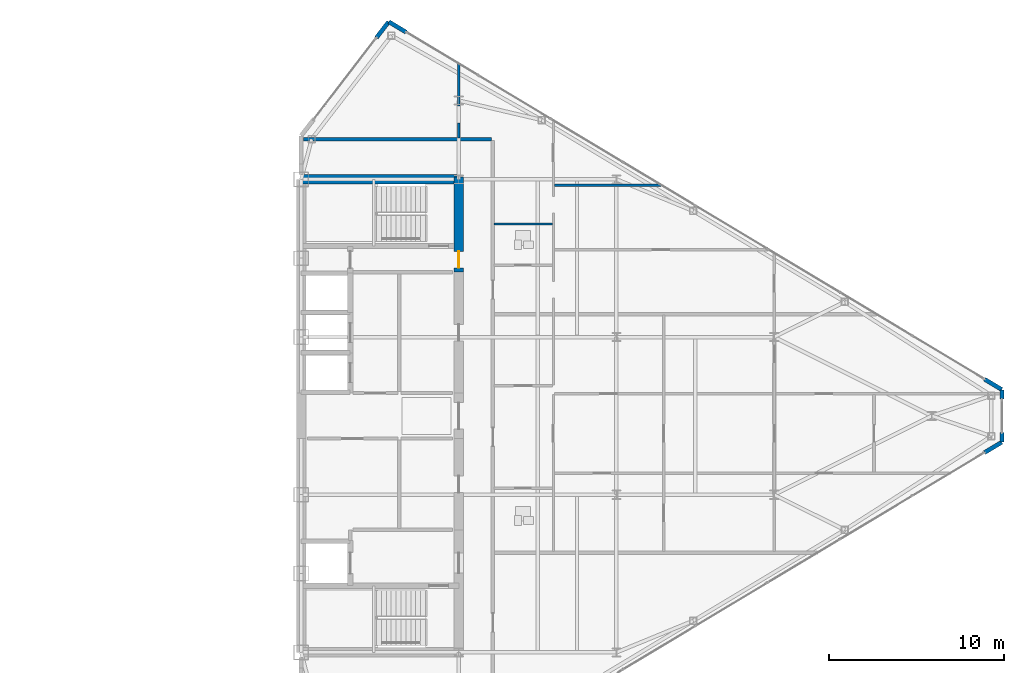
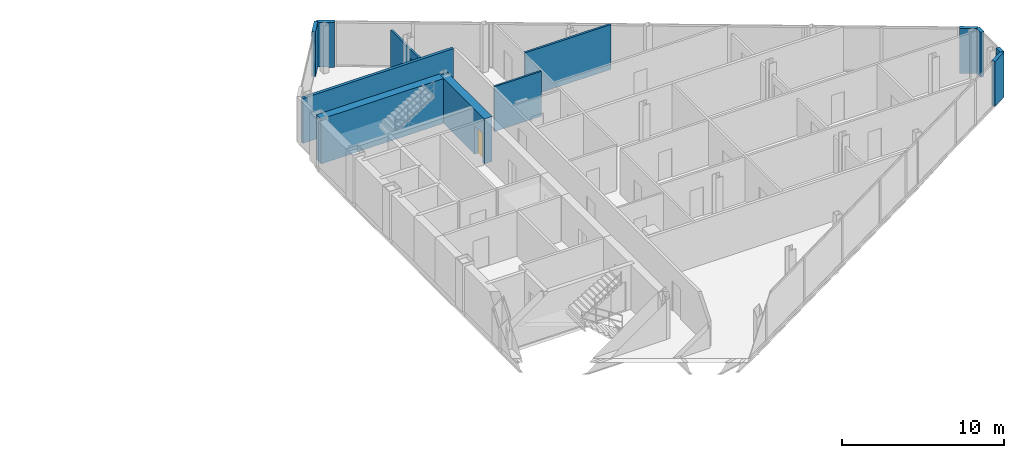
# One storey, part 23 of 26: 12 walls, 1 door, 2 openings.
"""IFC4 building model written with IfcOpenShell, lengths in metres."""

import ifcopenshell
import ifcopenshell.guid

model = None  # the IFC model being written
_history = None  # IfcOwnerHistory: only IFC2X3 demands one
_inside = {}  # id of a spatial element -> (the spatial element, [elements in it])
_under = {}  # id of a project, library or spatial element -> (it, [spatial elements below it])
_declared = {}  # id of a project -> (the project, [libraries it declares])
_typed = {}  # id of a type object -> (the type object, [elements of that type])
_made_of = {}  # id of a material, layer set ... -> (it, [elements and type objects made of it])


def new_model(schema):
    """Start an empty IFC model of exactly this schema.

    Asked for "IFC4X3", IfcOpenShell would pick the latest addendum, in which some entities
    have other attributes; the version numbers below select the first issue.
    IFC2X3 requires an IfcOwnerHistory on every rooted entity: one is made here for all.
    """
    global model, _history
    if schema == "IFC4X3":
        model = ifcopenshell.file(schema_version=(4, 3, 0, 0))
    else:
        model = ifcopenshell.file(schema=schema)
    _inside.clear()
    _under.clear()
    _declared.clear()
    _typed.clear()
    _made_of.clear()
    _history = None
    if model.schema == "IFC2X3":
        org = make("IfcOrganization", Name="unknown")
        user = make(
            "IfcPersonAndOrganization",
            ThePerson=make("IfcPerson", FamilyName="unknown"),
            TheOrganization=org,
        )
        app = make(
            "IfcApplication",
            ApplicationDeveloper=org,
            Version="unknown",
            ApplicationFullName="unknown",
            ApplicationIdentifier="unknown",
        )
        _history = make(
            "IfcOwnerHistory",
            OwningUser=user,
            OwningApplication=app,
            ChangeAction="ADDED",
            CreationDate=0,
        )
    return model


def make(cls, **values):
    """One entity of the class cls with the attributes given. An attribute that is None is left unset."""
    return model.create_entity(
        cls, **{name: value for name, value in values.items() if value is not None}
    )


def rooted(cls, **values):
    """An entity with a GlobalId (a new one), such as an element, a storey or a relation."""
    return make(cls, GlobalId=ifcopenshell.guid.new(), OwnerHistory=_history, **values)


def si_unit(unit_type, name, prefix=None):
    """IfcSIUnit, for example si_unit("LENGTHUNIT", "METRE", prefix="MILLI")."""
    return make("IfcSIUnit", UnitType=unit_type, Prefix=prefix, Name=name)


def assignment(units):
    """IfcUnitAssignment: the units of a project."""
    return None if units is None else make("IfcUnitAssignment", Units=units)


def point(xyz):
    """IfcCartesianPoint."""
    return None if xyz is None else make("IfcCartesianPoint", Coordinates=xyz)


def direction(xyz):
    """IfcDirection."""
    return None if xyz is None else make("IfcDirection", DirectionRatios=xyz)


def frame(location, z_axis=None, x_axis=None):
    """IfcAxis2Placement3D, a coordinate frame: its origin and axes. An axis left out is left unset."""
    return make(
        "IfcAxis2Placement3D",
        Location=point(location),
        Axis=direction(z_axis),
        RefDirection=direction(x_axis),
    )


def frame_2d(location, x_axis=None):
    """IfcAxis2Placement2D, a coordinate frame in the plane: its origin and x axis."""
    return make(
        "IfcAxis2Placement2D", Location=point(location), RefDirection=direction(x_axis)
    )


def origin():
    """The frame at (0, 0, 0) with its axes left unset."""
    return frame((0.0, 0.0, 0.0))


def place(relative_to, where):
    """IfcLocalPlacement: puts the frame where relative to a parent placement (None: the world)."""
    return make(
        "IfcLocalPlacement", PlacementRelTo=relative_to, RelativePlacement=where
    )


def context(
    kind, dimensions, precision=None, world=None, true_north=None, identifier=None
):
    """IfcGeometricRepresentationContext, for example the 3D "Model" context."""
    return make(
        "IfcGeometricRepresentationContext",
        ContextIdentifier=identifier,
        ContextType=kind,
        CoordinateSpaceDimension=dimensions,
        Precision=precision,
        WorldCoordinateSystem=world,
        TrueNorth=true_north,
    )


def subcontext(parent, identifier, kind, view, scale=None):
    """IfcGeometricRepresentationSubContext, for example "Body" below "Model"."""
    return make(
        "IfcGeometricRepresentationSubContext",
        ContextIdentifier=identifier,
        ContextType=kind,
        ParentContext=parent,
        TargetScale=scale,
        TargetView=view,
    )


def project(units=None, contexts=None):
    """IfcProject with its units and contexts."""
    return rooted(
        "IfcProject",
        Name="project",
        RepresentationContexts=contexts,
        UnitsInContext=assignment(units),
    )


def spatial(cls, under=None, at=None, **own):
    """A site, building, storey or space (cls), placed at a placement, below another one or the project."""
    s = rooted(cls, ObjectPlacement=at, **own)
    if under is not None:
        _under.setdefault(under.id(), (under, []))[1].append(s)
    return s


def profile(cls, at=None, kind="AREA", **sizes):
    """A parametric profile (cls). Its sizes go by their IFC names, for example OverallWidth=200.0."""
    return make(cls, ProfileType=kind, Position=at, **sizes)


def rectangle(**sizes):
    """IfcRectangleProfileDef."""
    return profile("IfcRectangleProfileDef", **sizes)


def extrude(swept, where, along, depth):
    """IfcExtrudedAreaSolid: the profile swept, set in the frame where, extruded along a direction by depth."""
    return make(
        "IfcExtrudedAreaSolid",
        SweptArea=swept,
        Position=where,
        ExtrudedDirection=direction(along),
        Depth=depth,
    )


def shape(context_of_items, identifier, shape_type, items):
    """IfcShapeRepresentation: the items that make up one representation, for example the "Body"."""
    return make(
        "IfcShapeRepresentation",
        ContextOfItems=context_of_items,
        RepresentationIdentifier=identifier,
        RepresentationType=shape_type,
        Items=items,
    )


def source(mapping_origin, context_of_items, identifier, shape_type, items):
    """IfcRepresentationMap: a shape defined once, which mapped items show again and again."""
    return make(
        "IfcRepresentationMap",
        MappingOrigin=mapping_origin,
        MappedRepresentation=shape(context_of_items, identifier, shape_type, items),
    )


def transform(
    local_origin,
    x_axis=None,
    y_axis=None,
    z_axis=None,
    scale=None,
    scale2=None,
    scale3=None,
    uniform=True,
):
    """IfcCartesianTransformationOperator3D, or its non-uniform kind. x_axis, y_axis, z_axis: its Axis1, 2, 3."""
    if uniform:
        return make(
            "IfcCartesianTransformationOperator3D",
            Axis1=direction(x_axis),
            Axis2=direction(y_axis),
            LocalOrigin=point(local_origin),
            Scale=scale,
            Axis3=direction(z_axis),
        )
    return make(
        "IfcCartesianTransformationOperator3DnonUniform",
        Axis1=direction(x_axis),
        Axis2=direction(y_axis),
        LocalOrigin=point(local_origin),
        Scale=scale,
        Axis3=direction(z_axis),
        Scale2=scale2,
        Scale3=scale3,
    )


def mapped(mapping_source, mapping_target):
    """IfcMappedItem: shows the shape of a source again, moved by a transform."""
    return make(
        "IfcMappedItem", MappingSource=mapping_source, MappingTarget=mapping_target
    )


def material(Name=None, Category=None):
    """IfcMaterial."""
    return make("IfcMaterial", Name=Name, Category=Category)


def layer(
    of_material, thickness, ventilated=None, Name=None, Category=None, Priority=None
):
    """IfcMaterialLayer: one layer of a wall or slab, of a material (None: an air gap)."""
    return make(
        "IfcMaterialLayer",
        Material=of_material,
        LayerThickness=thickness,
        IsVentilated=ventilated,
        Name=Name,
        Category=Category,
        Priority=Priority,
    )


def layer_set(layers, Name=None):
    """IfcMaterialLayerSet."""
    return make("IfcMaterialLayerSet", MaterialLayers=layers, LayerSetName=Name)


def made_of(thing, what):
    """Note that an element or type object is made of a material, layer set ...; save() writes the relation."""
    if what is not None:
        _made_of.setdefault(what.id(), (what, []))[1].append(thing)
    return thing


def type_object(cls, material=None, **own):
    """A type object (cls), such as IfcWallType, which elements share."""
    return made_of(rooted(cls, **own), material)


def type_shapes(of_type, sources):
    """Give a type object the sources (RepresentationMaps) that its elements show as mapped items."""
    of_type.RepresentationMaps = sources


def element(
    cls,
    number,
    at=None,
    inside=None,
    cuts=None,
    type_object=None,
    material=None,
    context=None,
    identifier="Body",
    shape_type=None,
    held_by="IfcProductDefinitionShape",
    body=None,
    shapes=None,
    **own,
):
    """One element of the class cls, such as IfcWall. Its Tag is "e" and its number.

    at: its placement. inside: the storey or other place that contains it. cuts: it is an
    opening in that element (IfcRelVoidsElement). A single representation is given by context,
    identifier, shape_type and body (its items); several are given by shapes. held_by: the class
    of the entity that holds the representations. save() writes the other relations.
    """
    e = rooted(cls, Tag="e%d" % number, ObjectPlacement=at, **own)
    if body is not None:
        shapes = [shape(context, identifier, shape_type, body)]
    if shapes is not None:
        e.Representation = make(held_by, Representations=shapes)
    if inside is not None:
        _inside.setdefault(inside.id(), (inside, []))[1].append(e)
    if cuts is not None:
        rooted(
            "IfcRelVoidsElement", RelatingBuildingElement=cuts, RelatedOpeningElement=e
        )
    if type_object is not None:
        _typed.setdefault(type_object.id(), (type_object, []))[1].append(e)
    return made_of(e, material)


def fill(opening, filler):
    """IfcRelFillsElement: the door or window that sits in an opening."""
    return rooted(
        "IfcRelFillsElement",
        RelatingOpeningElement=opening,
        RelatedBuildingElement=filler,
    )


def aggregate(whole, parts):
    """IfcRelAggregates: a whole, such as a stair, and the parts it consists of."""
    return rooted("IfcRelAggregates", RelatingObject=whole, RelatedObjects=parts)


def save(model, path):
    """Write the relations noted so far, then the file.

    IfcRelAggregates (storeys below a building ...), IfcRelContainedInSpatialStructure (elements
    in a storey), IfcRelDefinesByType, IfcRelAssociatesMaterial and IfcRelDeclares: one each for
    every whole, place, type object, material and project.
    """
    for whole, parts in _under.values():
        aggregate(whole, parts)
    for where, things in _inside.values():
        rooted(
            "IfcRelContainedInSpatialStructure",
            RelatedElements=things,
            RelatingStructure=where,
        )
    for kind, things in _typed.values():
        rooted("IfcRelDefinesByType", RelatedObjects=things, RelatingType=kind)
    for what, things in _made_of.values():
        rooted("IfcRelAssociatesMaterial", RelatedObjects=things, RelatingMaterial=what)
    for by, libraries in _declared.values():
        rooted("IfcRelDeclares", RelatingContext=by, RelatedDefinitions=libraries)
    model.write(path)


model = new_model("IFC4")

# Units and contexts
model_context = context("Model", 3, precision=1e-05, world=origin(), true_north=direction((0.0, 1.0)))
body_context = subcontext(model_context, "Body", "Model", "MODEL_VIEW")
ifc_project = project(units=[si_unit("LENGTHUNIT", "METRE"), si_unit("AREAUNIT", "SQUARE_METRE"), si_unit("VOLUMEUNIT", "CUBIC_METRE"), si_unit("PLANEANGLEUNIT", "RADIAN"), si_unit("MASSUNIT", "GRAM", prefix="KILO")], contexts=[model_context])

# Site, building, storey
site_placement = place(None, origin())
site = spatial("IfcSite", under=ifc_project, at=site_placement, CompositionType="ELEMENT")
building_placement = place(site_placement, origin())
building = spatial("IfcBuilding", under=site, at=building_placement, Name="Seokmaru Belvedere", CompositionType="ELEMENT")
storey_placement = place(building_placement, frame((0.0, 0.0, 199.5)))
storey = spatial("IfcBuildingStorey", under=building, at=storey_placement, Name="L53", CompositionType="ELEMENT", Elevation=199.5)

# Wall
ifc_material_1 = material(Name="Fire-Rated Gypsum Shaftwall")
ifc_layer_1 = layer(ifc_material_1, 0.14990234375)
ifc_layer_set_1 = layer_set([ifc_layer_1], Name="Fire-Rated Gypsum Shaftwall")
wall_type_1 = type_object("IfcWallType", Name="Apartment Fire-Acoustic Room Partition 150", PredefinedType="PARTITIONING", material=ifc_layer_set_1)
wall_1_placement = place(storey_placement, frame((41.949951171875, 13.169921875, 0.0), z_axis=(0.0, 0.0, 1.0), x_axis=(1.0, 0.0, 0.0)))
element("IfcWall", 1, at=wall_1_placement, inside=storey, type_object=wall_type_1, Name="L53 Interior Partition 021", PredefinedType="PARTITIONING", context=body_context, shape_type="SweptSolid", body=[
    extrude(rectangle(XDim=6.130126953125, YDim=0.14990234375, at=frame_2d((3.06494140625, 0.0))), origin(), (0.0, 0.0, 1.0), 3.3798828125),
])

# Wall, opening
wall_2_placement = place(storey_placement, frame((36.5, 15.85009765625, 0.0), z_axis=(0.0, 0.0, 1.0), x_axis=(0.0, 1.0, 0.0)))
wall_2 = element("IfcWall", 2, at=wall_2_placement, inside=storey, type_object=wall_type_1, Name="L53 Interior Partition 031", PredefinedType="PARTITIONING", context=body_context, shape_type="SweptSolid", body=[
    extrude(rectangle(XDim=4.284912109375, YDim=0.14990234375, at=frame_2d((2.142578125, 0.0))), origin(), (0.0, 0.0, 1.0), 2.780029296875),
])
opening_1_placement = place(wall_2_placement, frame((0.8779296875, 0.0, 0.0)))
element("IfcOpeningElement", 3, at=opening_1_placement, cuts=wall_2, Name="L53 Cased Opening 039", PredefinedType="OPENING", context=body_context, shape_type="SweptSolid", body=[
    extrude(rectangle(XDim=0.949951171875, YDim=2.14990234375, at=frame_2d((0.47509765625, 1.074951171875))), frame((0.0, 0.0849609375, 0.0), z_axis=(0.0, -1.0, 0.0), x_axis=(1.0, 0.0, 0.0)), (0.0, 0.0, 1.0), 0.169921875),
])

# Walls
ifc_layer_2 = layer(ifc_material_1, 0.199951171875)
ifc_layer_set_2 = layer_set([ifc_layer_2], Name="Fire-Rated Gypsum Shaftwall")
wall_type_2 = type_object("IfcWallType", Name="Inter-Tenancy Fire Compartment Partition 200", PredefinedType="PARTITIONING", material=ifc_layer_set_2)
wall_3_placement = place(storey_placement, frame((27.625, 15.800048828125, 0.0), z_axis=(0.0, 0.0, 1.0), x_axis=(1.0, 0.0, 0.0)))
element("IfcWall", 4, at=wall_3_placement, inside=storey, type_object=wall_type_2, Name="L53 Interior Partition 023", PredefinedType="PARTITIONING", context=body_context, shape_type="SweptSolid", body=[
    extrude(rectangle(XDim=10.739990234375, YDim=0.199951171875, at=frame_2d((5.3701171875, 0.0))), origin(), (0.0, 0.0, 1.0), 3.3798828125),
])
ifc_material_2 = material(Name="Concrete C50 (50 MPa)", Category="concrete")
ifc_layer_3 = layer(ifc_material_2, 0.550048828125)
ifc_layer_set_3 = layer_set([ifc_layer_3], Name="Concrete C50 (50 MPa)")
wall_type_3 = type_object("IfcWallType", Name="Mid-High Reinforced Concrete Core Wall 550", PredefinedType="SHEAR", material=ifc_layer_set_3)
wall_4_placement = place(storey_placement, frame((27.5, 13.5, 0.0), z_axis=(0.0, 0.0, 1.0), x_axis=(1.0, 0.0, 0.0)))
element("IfcWall", 5, at=wall_4_placement, inside=storey, type_object=wall_type_3, Name="L53 East North Core Wall", PredefinedType="SHEAR", context=body_context, shape_type="SweptSolid", body=[
    extrude(rectangle(XDim=9.0, YDim=0.550048828125, at=frame_2d((4.5, 0.0))), origin(), (0.0, 0.0, 1.0), 3.3798828125),
])

# Wall, opening, door
wall_5_placement = place(storey_placement, frame((36.5, 8.199951171875, 0.0), z_axis=(0.0, 0.0, 1.0), x_axis=(0.0, 1.0, 0.0)))
wall_5 = element("IfcWall", 6, at=wall_5_placement, inside=storey, type_object=wall_type_3, Name="L53 East West Core Wall VST", PredefinedType="SHEAR", context=body_context, shape_type="SweptSolid", body=[
    extrude(rectangle(XDim=5.449951171875, YDim=0.550048828125, at=frame_2d((2.72509765625, 0.0))), origin(), (0.0, 0.0, 1.0), 3.3798828125),
])
opening_2_placement = place(wall_5_placement, frame((0.2451171875, 0.0, 0.0)))
opening_2 = element("IfcOpeningElement", 7, at=opening_2_placement, cuts=wall_5, Name="Opening D04", PredefinedType="OPENING", context=body_context, shape_type="SweptSolid", body=[
    extrude(rectangle(XDim=0.949951171875, YDim=2.14990234375, at=frame_2d((0.47509765625, 1.074951171875))), frame((0.0, 0.28515625, 0.0), z_axis=(0.0, -1.0, 0.0), x_axis=(1.0, 0.0, 0.0)), (0.0, 0.0, 1.0), 0.570068359375),
])
ifc_material_3 = material(Name="Fire-Rated Steel Leaf", Category="steel")
door_type = type_object("IfcDoorType", Name="Core Service Room Fire Door 950x2150", OperationType="NOTDEFINED", PredefinedType="DOOR", material=ifc_material_3)
shared_shape = source(origin(), body_context, "Body", "SweptSolid", [
    extrude(rectangle(XDim=0.949951171875, YDim=2.14990234375, at=frame_2d((0.47509765625, 1.074951171875))), frame((0.0, 0.02490234375, 0.0), z_axis=(0.0, -1.0, 0.0), x_axis=(1.0, 0.0, 0.0)), (0.0, 0.0, 1.0), 0.050048828125),
])
type_shapes(door_type, [shared_shape])
door_placement = place(opening_2_placement, origin())
door = element("IfcDoor", 8, at=door_placement, inside=storey, type_object=door_type, Name="L53 East Smokeproof Vestibule Door", OperationType="SINGLE_SWING_LEFT", OverallHeight=2.14990234375, OverallWidth=0.949951171875, PredefinedType="DOOR", context=body_context, shape_type="MappedRepresentation", body=[
    mapped(shared_shape, transform((0.0, 0.0, 0.0), scale=1.0)),
])
fill(opening_2, door)

# Walls
ifc_layer_4 = layer(ifc_material_1, 0.1298828125)
ifc_layer_set_4 = layer_set([ifc_layer_4], Name="Fire-Rated Gypsum Shaftwall")
wall_type_4 = type_object("IfcWallType", Name="Moisture-Resistant Fire-Rated Bathroom Partition 130", PredefinedType="PARTITIONING", material=ifc_layer_set_4)
wall_6_placement = place(storey_placement, frame((38.5, 10.949951171875, 0.0), z_axis=(0.0, 0.0, 1.0), x_axis=(1.0, 0.0, 0.0)))
element("IfcWall", 9, at=wall_6_placement, inside=storey, type_object=wall_type_4, Name="L53 Interior Partition 020", PredefinedType="PARTITIONING", context=body_context, shape_type="SweptSolid", body=[
    extrude(rectangle(XDim=3.35009765625, YDim=0.1298828125, at=frame_2d((1.675048828125, 0.0))), origin(), (0.0, 0.0, 1.0), 3.3798828125),
])
ifc_material_4 = material(Name="Anodised Bronze Aluminium", Category="aluminium")
ifc_layer_5 = layer(ifc_material_4, 0.239990234375)
ifc_layer_set_5 = layer_set([ifc_layer_5], Name="Anodised Bronze Aluminium")
wall_type_5 = type_object("IfcWallType", Name="Tower Corner Spandrel Closure Wall 240", PredefinedType="SOLIDWALL", material=ifc_layer_set_5)
wall_7_placement = place(storey_placement, frame((66.513916015625, -2.091796875, 0.0), z_axis=(0.0, 0.0, 1.0), x_axis=(0.85743623509, 0.514590228002, 0.0)))
element("IfcWall", 10, at=wall_7_placement, inside=storey, type_object=wall_type_5, Name="L53 E Corner Closure Pier 1B", PredefinedType="SOLIDWALL", context=body_context, shape_type="SweptSolid", body=[
    extrude(rectangle(XDim=1.14013671875, YDim=0.239990234375, at=frame_2d((0.570068359375, 0.0))), origin(), (0.0, 0.0, 1.0), 3.3798828125),
])
for number, where, z_axis, x_axis, name in (
    (11, (67.5, -1.489990234375, 0.0), (0.0, 0.0, 1.0), (0.0, 1.0, 0.0), "L53 E Apex Closure Pier 2A"),
    (12, (67.5, 0.949951171875, 0.0), (0.0, 0.0, 1.0), (0.0, 1.0, 0.0), "L53 E Apex Closure Pier 2B"),
):
    element("IfcWall", number, at=place(storey_placement, frame(where, z_axis=z_axis, x_axis=x_axis)), inside=storey, type_object=wall_type_5, Name=name, PredefinedType="SOLIDWALL", context=body_context, shape_type="SweptSolid", body=[
        extrude(rectangle(XDim=0.5400390625, YDim=0.239990234375, at=frame_2d((0.27001953125, 0.0))), origin(), (0.0, 0.0, 1.0), 3.3798828125),
    ])
for number, where, z_axis, x_axis, name in (
    (13, (67.491455078125, 1.505126953125, 0.0), (0.0, 0.0, 1.0), (-0.85743623509, 0.514590228002, 0.0), "L53 E Corner Closure Pier 3A"),
    (14, (33.486083984375, 21.908203125, 0.0), (0.0, 0.0, 1.0), (-0.85743623509, 0.514590228002, 0.0), "L53 E Corner Closure Pier 3B"),
    (15, (32.493896484375, 22.4921875, 0.0), (0.0, 0.0, 1.0), (-0.609617623633, -0.792695624408, 0.0), "L53 E Corner Closure Pier 4A"),
):
    element("IfcWall", number, at=place(storey_placement, frame(where, z_axis=z_axis, x_axis=x_axis)), inside=storey, type_object=wall_type_5, Name=name, PredefinedType="SOLIDWALL", context=body_context, shape_type="SweptSolid", body=[
        extrude(rectangle(XDim=1.14013671875, YDim=0.239990234375, at=frame_2d((0.570068359375, 0.0))), origin(), (0.0, 0.0, 1.0), 3.3798828125),
    ])

save(model, "model.ifc")
